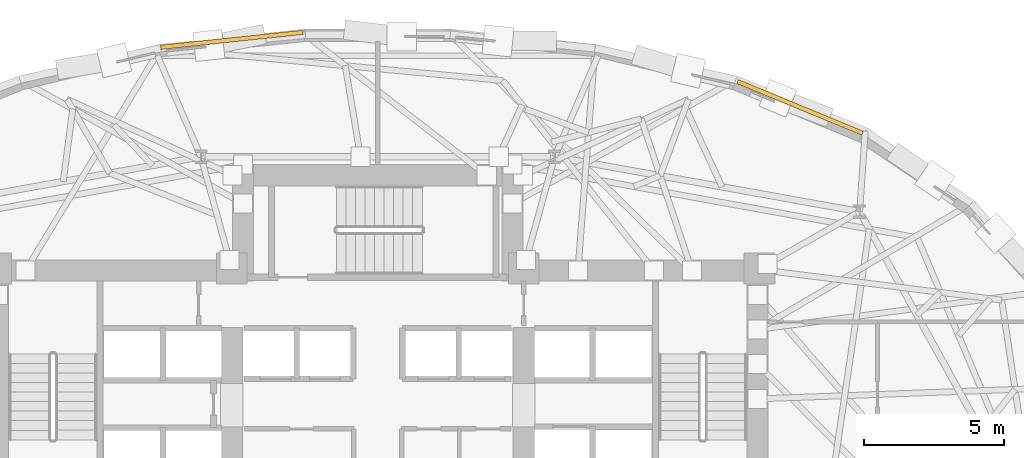
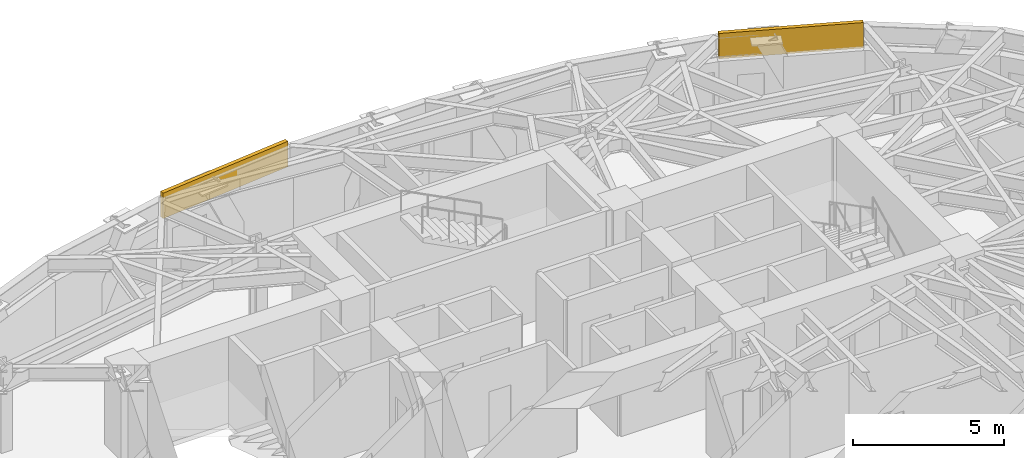
# One storey, part 14 of 14: 2 coverings.
"""IFC4 building model written with IfcOpenShell, lengths in metres."""

from ifc_helpers import new_model, si_unit, direction, frame, origin, origin_2d, place, context, subcontext, project, spatial, rectangle, extrude, material, layer, layer_set, type_object, element, save


model = new_model("IFC4")

# Units and contexts
model_context = context("Model", 3, precision=1e-05, world=origin(), true_north=direction((0.0, 1.0)))
body_context = subcontext(model_context, "Body", "Model", "MODEL_VIEW")
ifc_project = project(units=[si_unit("LENGTHUNIT", "METRE"), si_unit("AREAUNIT", "SQUARE_METRE"), si_unit("VOLUMEUNIT", "CUBIC_METRE"), si_unit("PLANEANGLEUNIT", "RADIAN"), si_unit("MASSUNIT", "GRAM", prefix="KILO")], contexts=[model_context])

# Site, building, storey
site_placement = place(None, origin())
site = spatial("IfcSite", under=ifc_project, at=site_placement, CompositionType="ELEMENT")
building_placement = place(site_placement, origin())
building = spatial("IfcBuilding", under=site, at=building_placement, Name="Keldmark Tower", CompositionType="ELEMENT")
storey_placement = place(building_placement, frame((0.0, 0.0, 117.60009765625)))
storey = spatial("IfcBuildingStorey", under=building, at=storey_placement, Name="L31", CompositionType="ELEMENT", Elevation=117.60009765625)

# Coverings
ifc_material = material(Name="Honed Kasota Buff Dolomitic Limestone", Category="masonry")
ifc_layer = layer(ifc_material, 0.074951171875)
ifc_layer_set = layer_set([ifc_layer], Name="Honed Kasota Buff Dolomitic Limestone")
covering_type = type_object("IfcCoveringType", Name="Kasota Buff Limestone Spandrel Cladding Band", PredefinedType="CLADDING", material=ifc_layer_set)
covering_1_placement = place(storey_placement, frame((15.0439453125, 15.19189453125, 2.45166015625), z_axis=(0.0, 0.0, 1.0), x_axis=(-0.924146470781, 0.38203834957, 0.0)))
element("IfcCovering", 1, at=covering_1_placement, inside=storey, type_object=covering_type, Name="L31 Kasota Limestone Spandrel Band 05", PredefinedType="CLADDING", context=body_context, shape_type="SweptSolid", body=[
    extrude(rectangle(XDim=4.822998046875, YDim=0.14990234375, at=origin_2d()), origin(), (0.0, 0.0, 1.0), 1.028076171875),
])
covering_2_placement = place(storey_placement, frame((-5.195068359375, 17.59814453125, 2.45166015625), z_axis=(0.0, 0.0, 1.0), x_axis=(-0.994501809016, -0.104719395837, 0.0)))
element("IfcCovering", 2, at=covering_2_placement, inside=storey, type_object=covering_type, Name="L31 Kasota Limestone Spandrel Band 09", PredefinedType="CLADDING", context=body_context, shape_type="SweptSolid", body=[
    extrude(rectangle(XDim=5.097412109375, YDim=0.14990234375, at=origin_2d()), origin(), (0.0, 0.0, 1.0), 1.028076171875),
])

save(model, "model.ifc")
